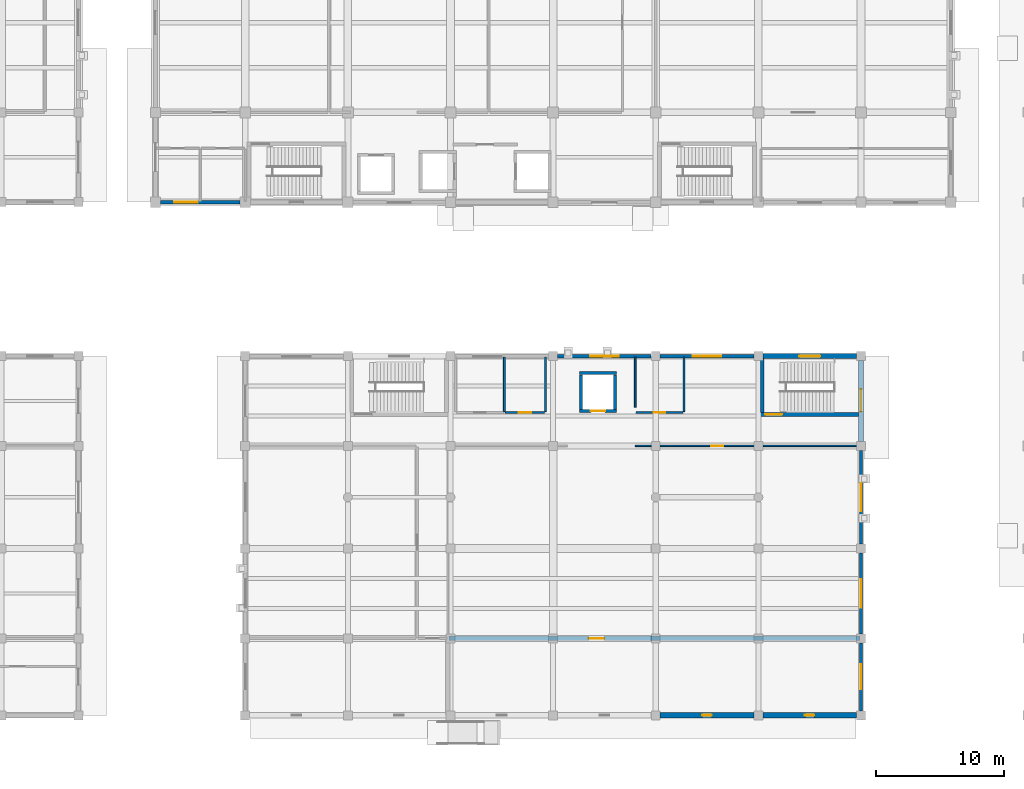
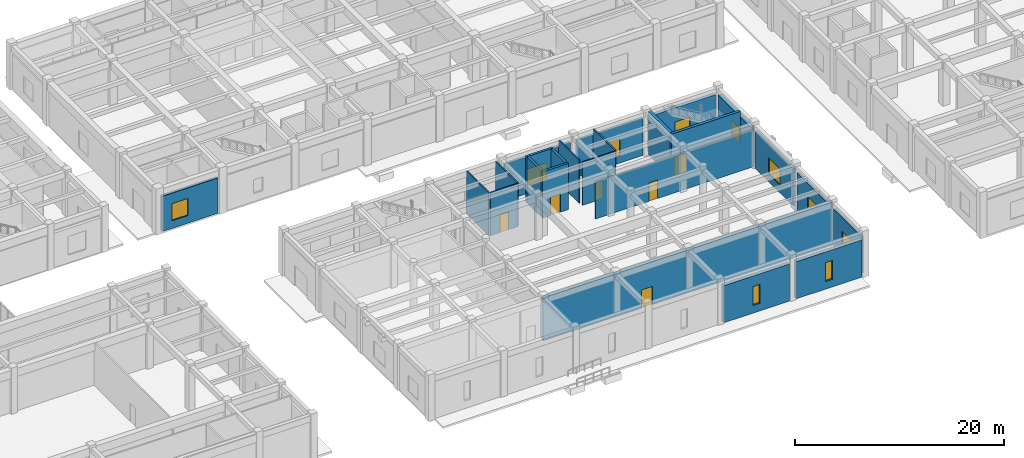
# One storey, part 22 of 40: 24 walls, 10 windows, 6 doors, 16 openings.
"""IFC4 building model written with IfcOpenShell, lengths in metres."""

import ifcopenshell
import ifcopenshell.guid

model = None  # the IFC model being written
_history = None  # IfcOwnerHistory: only IFC2X3 demands one
_inside = {}  # id of a spatial element -> (the spatial element, [elements in it])
_under = {}  # id of a project, library or spatial element -> (it, [spatial elements below it])
_declared = {}  # id of a project -> (the project, [libraries it declares])
_typed = {}  # id of a type object -> (the type object, [elements of that type])
_made_of = {}  # id of a material, layer set ... -> (it, [elements and type objects made of it])


def new_model(schema):
    """Start an empty IFC model of exactly this schema.

    Asked for "IFC4X3", IfcOpenShell would pick the latest addendum, in which some entities
    have other attributes; the version numbers below select the first issue.
    IFC2X3 requires an IfcOwnerHistory on every rooted entity: one is made here for all.
    """
    global model, _history
    if schema == "IFC4X3":
        model = ifcopenshell.file(schema_version=(4, 3, 0, 0))
    else:
        model = ifcopenshell.file(schema=schema)
    _inside.clear()
    _under.clear()
    _declared.clear()
    _typed.clear()
    _made_of.clear()
    _history = None
    if model.schema == "IFC2X3":
        org = make("IfcOrganization", Name="unknown")
        user = make(
            "IfcPersonAndOrganization",
            ThePerson=make("IfcPerson", FamilyName="unknown"),
            TheOrganization=org,
        )
        app = make(
            "IfcApplication",
            ApplicationDeveloper=org,
            Version="unknown",
            ApplicationFullName="unknown",
            ApplicationIdentifier="unknown",
        )
        _history = make(
            "IfcOwnerHistory",
            OwningUser=user,
            OwningApplication=app,
            ChangeAction="ADDED",
            CreationDate=0,
        )
    return model


def make(cls, **values):
    """One entity of the class cls with the attributes given. An attribute that is None is left unset."""
    return model.create_entity(
        cls, **{name: value for name, value in values.items() if value is not None}
    )


def rooted(cls, **values):
    """An entity with a GlobalId (a new one), such as an element, a storey or a relation."""
    return make(cls, GlobalId=ifcopenshell.guid.new(), OwnerHistory=_history, **values)


def si_unit(unit_type, name, prefix=None):
    """IfcSIUnit, for example si_unit("LENGTHUNIT", "METRE", prefix="MILLI")."""
    return make("IfcSIUnit", UnitType=unit_type, Prefix=prefix, Name=name)


def assignment(units):
    """IfcUnitAssignment: the units of a project."""
    return None if units is None else make("IfcUnitAssignment", Units=units)


def point(xyz):
    """IfcCartesianPoint."""
    return None if xyz is None else make("IfcCartesianPoint", Coordinates=xyz)


def direction(xyz):
    """IfcDirection."""
    return None if xyz is None else make("IfcDirection", DirectionRatios=xyz)


def frame(location, z_axis=None, x_axis=None):
    """IfcAxis2Placement3D, a coordinate frame: its origin and axes. An axis left out is left unset."""
    return make(
        "IfcAxis2Placement3D",
        Location=point(location),
        Axis=direction(z_axis),
        RefDirection=direction(x_axis),
    )


def frame_2d(location, x_axis=None):
    """IfcAxis2Placement2D, a coordinate frame in the plane: its origin and x axis."""
    return make(
        "IfcAxis2Placement2D", Location=point(location), RefDirection=direction(x_axis)
    )


def origin():
    """The frame at (0, 0, 0) with its axes left unset."""
    return frame((0.0, 0.0, 0.0))


def place(relative_to, where):
    """IfcLocalPlacement: puts the frame where relative to a parent placement (None: the world)."""
    return make(
        "IfcLocalPlacement", PlacementRelTo=relative_to, RelativePlacement=where
    )


def context(
    kind, dimensions, precision=None, world=None, true_north=None, identifier=None
):
    """IfcGeometricRepresentationContext, for example the 3D "Model" context."""
    return make(
        "IfcGeometricRepresentationContext",
        ContextIdentifier=identifier,
        ContextType=kind,
        CoordinateSpaceDimension=dimensions,
        Precision=precision,
        WorldCoordinateSystem=world,
        TrueNorth=true_north,
    )


def subcontext(parent, identifier, kind, view, scale=None):
    """IfcGeometricRepresentationSubContext, for example "Body" below "Model"."""
    return make(
        "IfcGeometricRepresentationSubContext",
        ContextIdentifier=identifier,
        ContextType=kind,
        ParentContext=parent,
        TargetScale=scale,
        TargetView=view,
    )


def project(units=None, contexts=None):
    """IfcProject with its units and contexts."""
    return rooted(
        "IfcProject",
        Name="project",
        RepresentationContexts=contexts,
        UnitsInContext=assignment(units),
    )


def spatial(cls, under=None, at=None, **own):
    """A site, building, storey or space (cls), placed at a placement, below another one or the project."""
    s = rooted(cls, ObjectPlacement=at, **own)
    if under is not None:
        _under.setdefault(under.id(), (under, []))[1].append(s)
    return s


def profile(cls, at=None, kind="AREA", **sizes):
    """A parametric profile (cls). Its sizes go by their IFC names, for example OverallWidth=200.0."""
    return make(cls, ProfileType=kind, Position=at, **sizes)


def rectangle(**sizes):
    """IfcRectangleProfileDef."""
    return profile("IfcRectangleProfileDef", **sizes)


def extrude(swept, where, along, depth):
    """IfcExtrudedAreaSolid: the profile swept, set in the frame where, extruded along a direction by depth."""
    return make(
        "IfcExtrudedAreaSolid",
        SweptArea=swept,
        Position=where,
        ExtrudedDirection=direction(along),
        Depth=depth,
    )


def shape(context_of_items, identifier, shape_type, items):
    """IfcShapeRepresentation: the items that make up one representation, for example the "Body"."""
    return make(
        "IfcShapeRepresentation",
        ContextOfItems=context_of_items,
        RepresentationIdentifier=identifier,
        RepresentationType=shape_type,
        Items=items,
    )


def material(Name=None, Category=None):
    """IfcMaterial."""
    return make("IfcMaterial", Name=Name, Category=Category)


def layer(
    of_material, thickness, ventilated=None, Name=None, Category=None, Priority=None
):
    """IfcMaterialLayer: one layer of a wall or slab, of a material (None: an air gap)."""
    return make(
        "IfcMaterialLayer",
        Material=of_material,
        LayerThickness=thickness,
        IsVentilated=ventilated,
        Name=Name,
        Category=Category,
        Priority=Priority,
    )


def layer_set(layers, Name=None):
    """IfcMaterialLayerSet."""
    return make("IfcMaterialLayerSet", MaterialLayers=layers, LayerSetName=Name)


def made_of(thing, what):
    """Note that an element or type object is made of a material, layer set ...; save() writes the relation."""
    if what is not None:
        _made_of.setdefault(what.id(), (what, []))[1].append(thing)
    return thing


def type_object(cls, material=None, **own):
    """A type object (cls), such as IfcWallType, which elements share."""
    return made_of(rooted(cls, **own), material)


def element(
    cls,
    number,
    at=None,
    inside=None,
    cuts=None,
    type_object=None,
    material=None,
    context=None,
    identifier="Body",
    shape_type=None,
    held_by="IfcProductDefinitionShape",
    body=None,
    shapes=None,
    **own,
):
    """One element of the class cls, such as IfcWall. Its Tag is "e" and its number.

    at: its placement. inside: the storey or other place that contains it. cuts: it is an
    opening in that element (IfcRelVoidsElement). A single representation is given by context,
    identifier, shape_type and body (its items); several are given by shapes. held_by: the class
    of the entity that holds the representations. save() writes the other relations.
    """
    e = rooted(cls, Tag="e%d" % number, ObjectPlacement=at, **own)
    if body is not None:
        shapes = [shape(context, identifier, shape_type, body)]
    if shapes is not None:
        e.Representation = make(held_by, Representations=shapes)
    if inside is not None:
        _inside.setdefault(inside.id(), (inside, []))[1].append(e)
    if cuts is not None:
        rooted(
            "IfcRelVoidsElement", RelatingBuildingElement=cuts, RelatedOpeningElement=e
        )
    if type_object is not None:
        _typed.setdefault(type_object.id(), (type_object, []))[1].append(e)
    return made_of(e, material)


def fill(opening, filler):
    """IfcRelFillsElement: the door or window that sits in an opening."""
    return rooted(
        "IfcRelFillsElement",
        RelatingOpeningElement=opening,
        RelatedBuildingElement=filler,
    )


def aggregate(whole, parts):
    """IfcRelAggregates: a whole, such as a stair, and the parts it consists of."""
    return rooted("IfcRelAggregates", RelatingObject=whole, RelatedObjects=parts)


def save(model, path):
    """Write the relations noted so far, then the file.

    IfcRelAggregates (storeys below a building ...), IfcRelContainedInSpatialStructure (elements
    in a storey), IfcRelDefinesByType, IfcRelAssociatesMaterial and IfcRelDeclares: one each for
    every whole, place, type object, material and project.
    """
    for whole, parts in _under.values():
        aggregate(whole, parts)
    for where, things in _inside.values():
        rooted(
            "IfcRelContainedInSpatialStructure",
            RelatedElements=things,
            RelatingStructure=where,
        )
    for kind, things in _typed.values():
        rooted("IfcRelDefinesByType", RelatedObjects=things, RelatingType=kind)
    for what, things in _made_of.values():
        rooted("IfcRelAssociatesMaterial", RelatedObjects=things, RelatingMaterial=what)
    for by, libraries in _declared.values():
        rooted("IfcRelDeclares", RelatingContext=by, RelatedDefinitions=libraries)
    model.write(path)


model = new_model("IFC4")

# Units and contexts
model_context = context("Model", 3, precision=1e-05, world=origin(), true_north=direction((0.0, 1.0)))
body_context = subcontext(model_context, "Body", "Model", "MODEL_VIEW")
ifc_project = project(units=[si_unit("LENGTHUNIT", "METRE"), si_unit("AREAUNIT", "SQUARE_METRE"), si_unit("VOLUMEUNIT", "CUBIC_METRE"), si_unit("PLANEANGLEUNIT", "RADIAN"), si_unit("MASSUNIT", "GRAM", prefix="KILO")], contexts=[model_context])

# Site, building, storey
site_placement = place(None, origin())
site = spatial("IfcSite", under=ifc_project, at=site_placement, CompositionType="ELEMENT")
building_placement = place(site_placement, origin())
building = spatial("IfcBuilding", under=site, at=building_placement, Name="Naurynzar Civic Courthouse", CompositionType="ELEMENT")
storey_placement = place(building_placement, origin())
storey = spatial("IfcBuildingStorey", under=building, at=storey_placement, Name="L01", CompositionType="ELEMENT", Elevation=0.0)

# Wall, opening, door
ifc_material_1 = material(Name="Concrete C40/50", Category="concrete")
ifc_layer_1 = layer(ifc_material_1, 0.300048828125)
ifc_layer_set_1 = layer_set([ifc_layer_1], Name="WL-CORE-300")
wall_type_1 = type_object("IfcWallType", Name="WL-CORE-300", PredefinedType="SHEAR", material=ifc_layer_set_1)
wall_1_placement = place(storey_placement, frame((116.804931640625, 27.449951171875, 0.0), z_axis=(0.0, 0.0, 1.0), x_axis=(-1.0, 0.0, 0.0)))
wall_1 = element("IfcWall", 1, at=wall_1_placement, inside=storey, type_object=wall_type_1, Name="Stair ST-V3B enclosure wall south L01", PredefinedType="SHEAR", context=body_context, shape_type="SweptSolid", body=[
    extrude(rectangle(XDim=7.655029296875, YDim=0.300048828125, at=frame_2d((3.82763671875, 0.0))), origin(), (0.0, 0.0, 1.0), 5.06005859375),
])
opening_1_placement = place(wall_1_placement, frame((5.929931640625, 0.0, 0.0)))
opening_1 = element("IfcOpeningElement", 2, at=opening_1_placement, cuts=wall_1, Name="Opening SD-053", PredefinedType="OPENING", context=body_context, shape_type="SweptSolid", body=[
    extrude(rectangle(XDim=1.35009765625, YDim=2.199951171875, at=frame_2d((0.675048828125, 1.10009765625))), frame((0.0, 0.159912109375, 0.0), z_axis=(0.0, -1.0, 0.0), x_axis=(1.0, 0.0, 0.0)), (0.0, 0.0, 1.0), 0.320068359375),
])
ifc_material_2 = material(Name="Powder-Coated Galvanised Steel", Category="steel")
door_type_1 = type_object("IfcDoorType", Name="DR-STAIR-1350x2200", OperationType="NOTDEFINED", PredefinedType="DOOR", material=ifc_material_2)
door_1_placement = place(opening_1_placement, origin())
door_1 = element("IfcDoor", 3, at=door_1_placement, inside=storey, type_object=door_type_1, Name="Stair ST-V3B fire door L01", OperationType="SINGLE_SWING_LEFT", OverallHeight=2.199951171875, OverallWidth=1.35009765625, PredefinedType="DOOR", context=body_context, shape_type="SweptSolid", body=[
    extrude(rectangle(XDim=1.35009765625, YDim=2.199951171875, at=frame_2d((0.675048828125, 1.10009765625))), frame((0.0, 0.02490234375, 0.0), z_axis=(0.0, -1.0, 0.0), x_axis=(1.0, 0.0, 0.0)), (0.0, 0.0, 1.0), 0.050048828125),
])
fill(opening_1, door_1)

# Wall
wall_2_placement = place(storey_placement, frame((109.300048828125, 31.804931640625, 0.0), z_axis=(0.0, 0.0, 1.0), x_axis=(0.0, -1.0, 0.0)))
element("IfcWall", 4, at=wall_2_placement, inside=storey, type_object=wall_type_1, Name="Stair ST-V3B enclosure wall west L01", PredefinedType="SHEAR", context=body_context, shape_type="SweptSolid", body=[
    extrude(rectangle(XDim=4.199951171875, YDim=0.300048828125, at=frame_2d((2.10009765625, 0.0))), origin(), (0.0, 0.0, 1.0), 5.06005859375),
])

# Wall, opening, door
ifc_material_3 = material(Name="Concrete C40/50", Category="concrete")
ifc_layer_2 = layer(ifc_material_3, 0.35009765625)
ifc_layer_set_2 = layer_set([ifc_layer_2], Name="WL-CORE-350")
wall_type_2 = type_object("IfcWallType", Name="WL-CORE-350", PredefinedType="SHEAR", material=ifc_layer_set_2)
wall_3_placement = place(storey_placement, frame((84.8798828125, 10.0, 0.0), z_axis=(0.0, 0.0, 1.0), x_axis=(1.0, 0.0, 0.0)))
wall_3 = element("IfcWall", 5, at=wall_3_placement, inside=storey, type_object=wall_type_2, Name="V3 interior partition L01.76", PredefinedType="SHEAR", context=body_context, shape_type="SweptSolid", body=[
    extrude(rectangle(XDim=32.0400390625, YDim=0.35009765625, at=frame_2d((16.02001953125, 0.0))), origin(), (0.0, 0.0, 1.0), 5.0400390625),
])
opening_2_placement = place(wall_3_placement, frame((10.89892578125, 0.0, 0.0)))
opening_2 = element("IfcOpeningElement", 6, at=opening_2_placement, cuts=wall_3, Name="Opening D-230", PredefinedType="OPENING", context=body_context, shape_type="SweptSolid", body=[
    extrude(rectangle(XDim=1.199951171875, YDim=2.14990234375, at=frame_2d((0.60009765625, 1.074951171875))), frame((0.0, 0.18505859375, 0.0), z_axis=(0.0, -1.0, 0.0), x_axis=(1.0, 0.0, 0.0)), (0.0, 0.0, 1.0), 0.3701171875),
])
ifc_material_4 = material(Name="Powder-Coated Galvanised Steel", Category="steel")
door_type_2 = type_object("IfcDoorType", Name="DR-ARCH-1200x2150", OperationType="NOTDEFINED", PredefinedType="DOOR", material=ifc_material_4)
door_2_placement = place(opening_2_placement, origin())
door_2 = element("IfcDoor", 7, at=door_2_placement, inside=storey, type_object=door_type_2, Name="Interior door D-230 (Law Library Book Stacks South L01)", OperationType="SINGLE_SWING_RIGHT", OverallHeight=2.14990234375, OverallWidth=1.199951171875, PredefinedType="DOOR", context=body_context, shape_type="SweptSolid", body=[
    extrude(rectangle(XDim=1.199951171875, YDim=2.14990234375, at=frame_2d((0.60009765625, 1.074951171875))), frame((0.0, 0.02490234375, 0.0), z_axis=(0.0, -1.0, 0.0), x_axis=(1.0, 0.0, 0.0)), (0.0, 0.0, 1.0), 0.050048828125),
])
fill(opening_2, door_2)

# Wall, opening, window
ifc_material_5 = material(Name="Precast concrete C40/50", Category="concrete")
ifc_layer_3 = layer(ifc_material_5, 0.260009765625)
ifc_layer_set_3 = layer_set([ifc_layer_3], Name="WL-EXT-260")
wall_type_3 = type_object("IfcWallType", Name="WL-EXT-260", PredefinedType="SOLIDWALL", material=ifc_layer_set_3)
wall_4_placement = place(storey_placement, frame((93.35009765625, 32.0, 0.0), z_axis=(0.0, 0.0, 1.0), x_axis=(1.0, 0.0, 0.0)))
wall_4 = element("IfcWall", 8, at=wall_4_placement, inside=storey, type_object=wall_type_3, Name="V3 exterior wall north L01.4.1", PredefinedType="SOLIDWALL", context=body_context, shape_type="SweptSolid", body=[
    extrude(rectangle(XDim=7.2998046875, YDim=0.260009765625, at=frame_2d((3.64990234375, 0.0))), origin(), (0.0, 0.0, 1.0), 4.340087890625),
])
opening_3_placement = place(wall_4_placement, frame((2.550048828125, 0.0, 0.89990234375)))
opening_3 = element("IfcOpeningElement", 9, at=opening_3_placement, cuts=wall_4, Name="Opening WN-11", PredefinedType="OPENING", context=body_context, shape_type="SweptSolid", body=[
    extrude(rectangle(XDim=2.199951171875, YDim=1.89990234375, at=frame_2d((1.10009765625, 0.949951171875))), frame((0.0, 0.139892578125, 0.0), z_axis=(0.0, -1.0, 0.0), x_axis=(1.0, 0.0, 0.0)), (0.0, 0.0, 1.0), 0.280029296875),
])
ifc_material_6 = material(Name="Tempered Laminated Low-E Glass", Category="glass")
window_type_1 = type_object("IfcWindowType", Name="WIN-LIB-READ-2200x1900", PartitioningType="DOUBLE_PANEL_VERTICAL", PredefinedType="WINDOW", material=ifc_material_6)
window_1_placement = place(opening_3_placement, origin())
window_1 = element("IfcWindow", 10, at=window_1_placement, inside=storey, type_object=window_type_1, Name="V3 window 145 L01", OverallHeight=1.89990234375, OverallWidth=2.199951171875, PartitioningType="SINGLE_PANEL", PredefinedType="WINDOW", context=body_context, shape_type="SweptSolid", body=[
    extrude(rectangle(XDim=2.199951171875, YDim=1.89990234375, at=frame_2d((1.10009765625, 0.949951171875))), frame((0.0, 0.030029296875, 0.0), z_axis=(0.0, -1.0, 0.0), x_axis=(1.0, 0.0, 0.0)), (0.0, 0.0, 1.0), 0.06005859375),
])
fill(opening_3, window_1)

wall_5_placement = place(storey_placement, frame((101.35009765625, 32.0, 0.0), z_axis=(0.0, 0.0, 1.0), x_axis=(1.0, 0.0, 0.0)))
wall_5 = element("IfcWall", 11, at=wall_5_placement, inside=storey, type_object=wall_type_3, Name="V3 exterior wall north L01.5.1", PredefinedType="SOLIDWALL", context=body_context, shape_type="SweptSolid", body=[
    extrude(rectangle(XDim=7.2998046875, YDim=0.260009765625, at=frame_2d((3.64990234375, 0.0))), origin(), (0.0, 0.0, 1.0), 4.340087890625),
])
opening_4_placement = place(wall_5_placement, frame((2.550048828125, 0.0, 0.89990234375)))
opening_4 = element("IfcOpeningElement", 12, at=opening_4_placement, cuts=wall_5, Name="Opening WN-11", PredefinedType="OPENING", context=body_context, shape_type="SweptSolid", body=[
    extrude(rectangle(XDim=2.199951171875, YDim=1.89990234375, at=frame_2d((1.10009765625, 0.949951171875))), frame((0.0, 0.139892578125, 0.0), z_axis=(0.0, -1.0, 0.0), x_axis=(1.0, 0.0, 0.0)), (0.0, 0.0, 1.0), 0.280029296875),
])
window_2_placement = place(opening_4_placement, origin())
window_2 = element("IfcWindow", 13, at=window_2_placement, inside=storey, type_object=window_type_1, Name="V3 window 146 L01", OverallHeight=1.89990234375, OverallWidth=2.199951171875, PartitioningType="SINGLE_PANEL", PredefinedType="WINDOW", context=body_context, shape_type="SweptSolid", body=[
    extrude(rectangle(XDim=2.199951171875, YDim=1.89990234375, at=frame_2d((1.10009765625, 0.949951171875))), frame((0.0, 0.030029296875, 0.0), z_axis=(0.0, -1.0, 0.0), x_axis=(1.0, 0.0, 0.0)), (0.0, 0.0, 1.0), 0.06005859375),
])
fill(opening_4, window_2)

wall_6_placement = place(storey_placement, frame((117.0, 24.64990234375, 0.0), z_axis=(0.0, 0.0, 1.0), x_axis=(0.0, -1.0, 0.0)))
wall_6 = element("IfcWall", 14, at=wall_6_placement, inside=storey, type_object=wall_type_3, Name="V3 exterior wall east L01.2.1", PredefinedType="SOLIDWALL", context=body_context, shape_type="SweptSolid", body=[
    extrude(rectangle(XDim=7.2998046875, YDim=0.260009765625, at=frame_2d((3.64990234375, 0.0))), origin(), (0.0, 0.0, 1.0), 4.340087890625),
])
opening_5_placement = place(wall_6_placement, frame((2.550048828125, 0.0, 0.89990234375)))
opening_5 = element("IfcOpeningElement", 15, at=opening_5_placement, cuts=wall_6, Name="Opening WN-11", PredefinedType="OPENING", context=body_context, shape_type="SweptSolid", body=[
    extrude(rectangle(XDim=2.199951171875, YDim=1.89990234375, at=frame_2d((1.10009765625, 0.949951171875))), frame((0.0, 0.139892578125, 0.0), z_axis=(0.0, -1.0, 0.0), x_axis=(1.0, 0.0, 0.0)), (0.0, 0.0, 1.0), 0.280029296875),
])
window_3_placement = place(opening_5_placement, origin())
window_3 = element("IfcWindow", 16, at=window_3_placement, inside=storey, type_object=window_type_1, Name="V3 window 147 L01", OverallHeight=1.89990234375, OverallWidth=2.199951171875, PartitioningType="SINGLE_PANEL", PredefinedType="WINDOW", context=body_context, shape_type="SweptSolid", body=[
    extrude(rectangle(XDim=2.199951171875, YDim=1.89990234375, at=frame_2d((1.10009765625, 0.949951171875))), frame((0.0, 0.030029296875, 0.0), z_axis=(0.0, -1.0, 0.0), x_axis=(1.0, 0.0, 0.0)), (0.0, 0.0, 1.0), 0.06005859375),
])
fill(opening_5, window_3)

wall_7_placement = place(storey_placement, frame((117.0, 16.64990234375, 0.0), z_axis=(0.0, 0.0, 1.0), x_axis=(0.0, -1.0, 0.0)))
wall_7 = element("IfcWall", 17, at=wall_7_placement, inside=storey, type_object=wall_type_3, Name="V3 exterior wall east L01.3.1", PredefinedType="SOLIDWALL", context=body_context, shape_type="SweptSolid", body=[
    extrude(rectangle(XDim=6.2998046875, YDim=0.260009765625, at=frame_2d((3.14990234375, 0.0))), origin(), (0.0, 0.0, 1.0), 4.340087890625),
])
opening_6_placement = place(wall_7_placement, frame((2.050048828125, 0.0, 0.89990234375)))
opening_6 = element("IfcOpeningElement", 18, at=opening_6_placement, cuts=wall_7, Name="Opening WN-11", PredefinedType="OPENING", context=body_context, shape_type="SweptSolid", body=[
    extrude(rectangle(XDim=2.199951171875, YDim=1.89990234375, at=frame_2d((1.10009765625, 0.949951171875))), frame((0.0, 0.139892578125, 0.0), z_axis=(0.0, -1.0, 0.0), x_axis=(1.0, 0.0, 0.0)), (0.0, 0.0, 1.0), 0.280029296875),
])
window_4_placement = place(opening_6_placement, origin())
window_4 = element("IfcWindow", 19, at=window_4_placement, inside=storey, type_object=window_type_1, Name="V3 window 148 L01", OverallHeight=1.89990234375, OverallWidth=2.199951171875, PartitioningType="SINGLE_PANEL", PredefinedType="WINDOW", context=body_context, shape_type="SweptSolid", body=[
    extrude(rectangle(XDim=2.199951171875, YDim=1.89990234375, at=frame_2d((1.10009765625, 0.949951171875))), frame((0.0, 0.030029296875, 0.0), z_axis=(0.0, -1.0, 0.0), x_axis=(1.0, 0.0, 0.0)), (0.0, 0.0, 1.0), 0.06005859375),
])
fill(opening_6, window_4)

wall_8_placement = place(storey_placement, frame((117.0, 9.64990234375, 0.0), z_axis=(0.0, 0.0, 1.0), x_axis=(0.0, -1.0, 0.0)))
wall_8 = element("IfcWall", 20, at=wall_8_placement, inside=storey, type_object=wall_type_3, Name="V3 exterior wall east L01.4.1", PredefinedType="SOLIDWALL", context=body_context, shape_type="SweptSolid", body=[
    extrude(rectangle(XDim=5.2998046875, YDim=0.260009765625, at=frame_2d((2.64990234375, 0.0))), origin(), (0.0, 0.0, 1.0), 4.340087890625),
])
opening_7_placement = place(wall_8_placement, frame((1.675048828125, 0.0, 0.89990234375)))
opening_7 = element("IfcOpeningElement", 21, at=opening_7_placement, cuts=wall_8, Name="Opening WN-12", PredefinedType="OPENING", context=body_context, shape_type="SweptSolid", body=[
    extrude(rectangle(XDim=1.949951171875, YDim=1.85009765625, at=frame_2d((0.97509765625, 0.925048828125))), frame((0.0, 0.139892578125, 0.0), z_axis=(0.0, -1.0, 0.0), x_axis=(1.0, 0.0, 0.0)), (0.0, 0.0, 1.0), 0.280029296875),
])
ifc_material_7 = material(Name="Tempered Laminated Low-E Glass", Category="glass")
window_type_2 = type_object("IfcWindowType", Name="WIN-LIB-READ-1950x1850", PartitioningType="DOUBLE_PANEL_VERTICAL", PredefinedType="WINDOW", material=ifc_material_7)
window_5_placement = place(opening_7_placement, origin())
window_5 = element("IfcWindow", 22, at=window_5_placement, inside=storey, type_object=window_type_2, Name="V3 window 149 L01", OverallHeight=1.85009765625, OverallWidth=1.949951171875, PartitioningType="SINGLE_PANEL", PredefinedType="WINDOW", context=body_context, shape_type="SweptSolid", body=[
    extrude(rectangle(XDim=1.949951171875, YDim=1.85009765625, at=frame_2d((0.97509765625, 0.925048828125))), frame((0.0, 0.030029296875, 0.0), z_axis=(0.0, -1.0, 0.0), x_axis=(1.0, 0.0, 0.0)), (0.0, 0.0, 1.0), 0.06005859375),
])
fill(opening_7, window_5)

ifc_material_8 = material(Name="Precast concrete C40/50", Category="concrete")
ifc_layer_4 = layer(ifc_material_8, 0.300048828125)
ifc_layer_set_4 = layer_set([ifc_layer_4], Name="WL-EXT-300")
wall_type_4 = type_object("IfcWallType", Name="WL-EXT-300", PredefinedType="SOLIDWALL", material=ifc_layer_set_4)
wall_9_placement = place(storey_placement, frame((68.60009765625, 44.0, 0.0), z_axis=(0.0, 0.0, 1.0), x_axis=(-1.0, 0.0, 0.0)))
wall_9 = element("IfcWall", 23, at=wall_9_placement, inside=storey, type_object=wall_type_4, Name="V2 exterior wall south L01.8.1", PredefinedType="SOLIDWALL", context=body_context, shape_type="SweptSolid", body=[
    extrude(rectangle(XDim=6.2001953125, YDim=0.300048828125, at=frame_2d((3.10009765625, 0.0))), origin(), (0.0, 0.0, 1.0), 4.1298828125),
])
opening_8_placement = place(wall_9_placement, frame((3.320068359375, 0.0, 0.89990234375)))
opening_8 = element("IfcOpeningElement", 24, at=opening_8_placement, cuts=wall_9, Name="Opening WN-03", PredefinedType="OPENING", context=body_context, shape_type="SweptSolid", body=[
    extrude(rectangle(XDim=1.800048828125, YDim=2.0, at=frame_2d((0.89990234375, 1.0))), frame((0.0, 0.159912109375, 0.0), z_axis=(0.0, -1.0, 0.0), x_axis=(1.0, 0.0, 0.0)), (0.0, 0.0, 1.0), 0.320068359375),
])
ifc_material_9 = material(Name="Tempered Laminated Low-E Glass", Category="glass")
window_type_3 = type_object("IfcWindowType", Name="WIN-COURT-1800x2000", PartitioningType="DOUBLE_PANEL_VERTICAL", PredefinedType="WINDOW", material=ifc_material_9)
window_6_placement = place(opening_8_placement, origin())
window_6 = element("IfcWindow", 25, at=window_6_placement, inside=storey, type_object=window_type_3, Name="V2 window 50 L01", OverallHeight=2.0, OverallWidth=1.800048828125, PartitioningType="SINGLE_PANEL", PredefinedType="WINDOW", context=body_context, shape_type="SweptSolid", body=[
    extrude(rectangle(XDim=1.800048828125, YDim=2.0, at=frame_2d((0.89990234375, 1.0))), frame((0.0, 0.030029296875, 0.0), z_axis=(0.0, -1.0, 0.0), x_axis=(1.0, 0.0, 0.0)), (0.0, 0.0, 1.0), 0.06005859375),
])
fill(opening_8, window_6)

# Wall, opening, door
ifc_material_10 = material(Name="Metal-Stud Gypsum Partition")
ifc_layer_5 = layer(ifc_material_10, 0.125)
ifc_layer_set_5 = layer_set([ifc_layer_5], Name="WL-PART-STD-125")
wall_type_5 = type_object("IfcWallType", Name="WL-PART-STD-125", PredefinedType="PARTITIONING", material=ifc_layer_set_5)
wall_10_placement = place(storey_placement, frame((99.39990234375, 25.0, 0.0), z_axis=(0.0, 0.0, 1.0), x_axis=(1.0, 0.0, 0.0)))
wall_10 = element("IfcWall", 26, at=wall_10_placement, inside=storey, type_object=wall_type_5, Name="V3 interior partition L01.86", PredefinedType="PARTITIONING", context=body_context, shape_type="SweptSolid", body=[
    extrude(rectangle(XDim=17.52001953125, YDim=0.125, at=frame_2d((8.760009765625, 0.0))), origin(), (0.0, 0.0, 1.0), 4.360107421875),
])
opening_9_placement = place(wall_10_placement, frame((5.907958984375, 0.0, 0.0)))
opening_9 = element("IfcOpeningElement", 27, at=opening_9_placement, cuts=wall_10, Name="Opening D-228", PredefinedType="OPENING", context=body_context, shape_type="SweptSolid", body=[
    extrude(rectangle(XDim=0.93994140625, YDim=2.14990234375, at=frame_2d((0.469970703125, 1.074951171875))), frame((0.0, 0.072509765625, 0.0), z_axis=(0.0, -1.0, 0.0), x_axis=(1.0, 0.0, 0.0)), (0.0, 0.0, 1.0), 0.14501953125),
])
ifc_material_11 = material(Name="Acoustic Oak Timber Grade A", Category="wood")
door_type_3 = type_object("IfcDoorType", Name="DR-SUITE-940x2150", OperationType="NOTDEFINED", PredefinedType="DOOR", material=ifc_material_11)
door_3_placement = place(opening_9_placement, origin())
door_3 = element("IfcDoor", 28, at=door_3_placement, inside=storey, type_object=door_type_3, Name="Interior door D-228 (Legal Research Seminar Suite)", OperationType="SINGLE_SWING_RIGHT", OverallHeight=2.14990234375, OverallWidth=0.93994140625, PredefinedType="DOOR", context=body_context, shape_type="SweptSolid", body=[
    extrude(rectangle(XDim=0.93994140625, YDim=2.14990234375, at=frame_2d((0.469970703125, 1.074951171875))), frame((0.0, 0.02490234375, 0.0), z_axis=(0.0, -1.0, 0.0), x_axis=(1.0, 0.0, 0.0)), (0.0, 0.0, 1.0), 0.050048828125),
])
fill(opening_9, door_3)

ifc_material_12 = material(Name="Moisture-Resistant Plumbing Partition")
ifc_layer_6 = layer(ifc_material_12, 0.139892578125)
ifc_layer_set_6 = layer_set([ifc_layer_6], Name="WL-PART-WC-140")
wall_type_6 = type_object("IfcWallType", Name="WL-PART-WC-140", PredefinedType="PLUMBINGWALL", material=ifc_layer_set_6)
wall_11_placement = place(storey_placement, frame((89.280029296875, 27.60009765625, 0.0), z_axis=(0.0, 0.0, 1.0), x_axis=(1.0, 0.0, 0.0)))
wall_11 = element("IfcWall", 29, at=wall_11_placement, inside=storey, type_object=wall_type_6, Name="V3 interior partition L01.91", PredefinedType="PLUMBINGWALL", context=body_context, shape_type="SweptSolid", body=[
    extrude(rectangle(XDim=3.0400390625, YDim=0.139892578125, at=frame_2d((1.52001953125, 0.0))), origin(), (0.0, 0.0, 1.0), 5.0400390625),
])
opening_10_placement = place(wall_11_placement, frame((1.0400390625, 0.0, 0.0)))
opening_10 = element("IfcOpeningElement", 30, at=opening_10_placement, cuts=wall_11, Name="Opening D-225", PredefinedType="OPENING", context=body_context, shape_type="SweptSolid", body=[
    extrude(rectangle(XDim=0.9599609375, YDim=2.10009765625, at=frame_2d((0.47998046875, 1.050048828125))), frame((0.0, 0.079833984375, 0.0), z_axis=(0.0, -1.0, 0.0), x_axis=(1.0, 0.0, 0.0)), (0.0, 0.0, 1.0), 0.159912109375),
])
ifc_material_13 = material(Name="Acoustic Oak Timber Grade A", Category="wood")
door_type_4 = type_object("IfcDoorType", Name="DR-WC-ACC-960x2100", OperationType="NOTDEFINED", PredefinedType="DOOR", material=ifc_material_13)
door_4_placement = place(opening_10_placement, origin())
door_4 = element("IfcDoor", 31, at=door_4_placement, inside=storey, type_object=door_type_4, Name="Interior door D-225 (Accessible WC V3)", OperationType="SINGLE_SWING_LEFT", OverallHeight=2.10009765625, OverallWidth=0.9599609375, PredefinedType="DOOR", context=body_context, shape_type="SweptSolid", body=[
    extrude(rectangle(XDim=0.9599609375, YDim=2.10009765625, at=frame_2d((0.47998046875, 1.050048828125))), frame((0.0, 0.02490234375, 0.0), z_axis=(0.0, -1.0, 0.0), x_axis=(1.0, 0.0, 0.0)), (0.0, 0.0, 1.0), 0.050048828125),
])
fill(opening_10, door_4)

wall_12_placement = place(storey_placement, frame((99.47998046875, 27.60009765625, 0.0), z_axis=(0.0, 0.0, 1.0), x_axis=(1.0, 0.0, 0.0)))
wall_12 = element("IfcWall", 32, at=wall_12_placement, inside=storey, type_object=wall_type_6, Name="V3 interior partition L01.92", PredefinedType="PLUMBINGWALL", context=body_context, shape_type="SweptSolid", body=[
    extrude(rectangle(XDim=3.64013671875, YDim=0.139892578125, at=frame_2d((1.820068359375, 0.0))), origin(), (0.0, 0.0, 1.0), 5.0400390625),
])
opening_11_placement = place(wall_12_placement, frame((1.360107421875, 0.0, 0.0)))
opening_11 = element("IfcOpeningElement", 33, at=opening_11_placement, cuts=wall_12, Name="Opening D-226", PredefinedType="OPENING", context=body_context, shape_type="SweptSolid", body=[
    extrude(rectangle(XDim=0.919921875, YDim=2.10009765625, at=frame_2d((0.4599609375, 1.050048828125))), frame((0.0, 0.079833984375, 0.0), z_axis=(0.0, -1.0, 0.0), x_axis=(1.0, 0.0, 0.0)), (0.0, 0.0, 1.0), 0.159912109375),
])
ifc_material_14 = material(Name="Acoustic Oak Timber Grade A", Category="wood")
door_type_5 = type_object("IfcDoorType", Name="DR-WC-STD-920x2100", OperationType="NOTDEFINED", PredefinedType="DOOR", material=ifc_material_14)
door_5_placement = place(opening_11_placement, origin())
door_5 = element("IfcDoor", 34, at=door_5_placement, inside=storey, type_object=door_type_5, Name="Interior door D-226 (Staff WC V3)", OperationType="SINGLE_SWING_RIGHT", OverallHeight=2.10009765625, OverallWidth=0.919921875, PredefinedType="DOOR", context=body_context, shape_type="SweptSolid", body=[
    extrude(rectangle(XDim=0.919921875, YDim=2.10009765625, at=frame_2d((0.4599609375, 1.050048828125))), frame((0.0, 0.02490234375, 0.0), z_axis=(0.0, -1.0, 0.0), x_axis=(1.0, 0.0, 0.0)), (0.0, 0.0, 1.0), 0.050048828125),
])
fill(opening_11, door_5)

# Walls
for number, where, z_axis, x_axis, name in (
    (35, (89.199951171875, 27.679931640625, 0.0), (0.0, 0.0, 1.0), (0.0, 1.0, 0.0), "V3 interior partition L01.162"),
    (36, (92.39990234375, 27.679931640625, 0.0), (0.0, 0.0, 1.0), (0.0, 1.0, 0.0), "V3 interior partition L01.163"),
):
    element("IfcWall", number, at=place(storey_placement, frame(where, z_axis=z_axis, x_axis=x_axis)), inside=storey, type_object=wall_type_6, Name=name, PredefinedType="PLUMBINGWALL", context=body_context, shape_type="SweptSolid", body=[
        extrude(rectangle(XDim=4.239990234375, YDim=0.139892578125, at=frame_2d((2.1201171875, 0.0))), origin(), (0.0, 0.0, 1.0), 5.0400390625),
    ])
wall_13_placement = place(storey_placement, frame((99.39990234375, 28.0, 0.0), z_axis=(0.0, 0.0, 1.0), x_axis=(0.0, 1.0, 0.0)))
element("IfcWall", 37, at=wall_13_placement, inside=storey, type_object=wall_type_6, Name="V3 interior partition L01.167", PredefinedType="PLUMBINGWALL", context=body_context, shape_type="SweptSolid", body=[
    extrude(rectangle(XDim=3.919921875, YDim=0.139892578125, at=frame_2d((1.9599609375, 0.0))), origin(), (0.0, 0.0, 1.0), 5.0400390625),
])
wall_14_placement = place(storey_placement, frame((103.199951171875, 27.679931640625, 0.0), z_axis=(0.0, 0.0, 1.0), x_axis=(0.0, 1.0, 0.0)))
element("IfcWall", 38, at=wall_14_placement, inside=storey, type_object=wall_type_6, Name="V3 interior partition L01.169", PredefinedType="PLUMBINGWALL", context=body_context, shape_type="SweptSolid", body=[
    extrude(rectangle(XDim=4.239990234375, YDim=0.139892578125, at=frame_2d((2.1201171875, 0.0))), origin(), (0.0, 0.0, 1.0), 5.0400390625),
])

# Wall, opening, window
ifc_material_15 = material(Name="Concrete C40/50", Category="concrete")
ifc_layer_7 = layer(ifc_material_15, 0.3798828125)
ifc_layer_set_7 = layer_set([ifc_layer_7], Name="WL-RET-380")
wall_type_7 = type_object("IfcWallType", Name="WL-RET-380", PredefinedType="STANDARD", material=ifc_layer_set_7)
wall_15_placement = place(storey_placement, frame((109.35009765625, 32.0, 0.0), z_axis=(0.0, 0.0, 1.0), x_axis=(1.0, 0.0, 0.0)))
wall_15 = element("IfcWall", 39, at=wall_15_placement, inside=storey, type_object=wall_type_7, Name="V3 exterior wall north L01.6.1", PredefinedType="STANDARD", context=body_context, shape_type="SweptSolid", body=[
    extrude(rectangle(XDim=7.2998046875, YDim=0.3798828125, at=frame_2d((3.64990234375, 0.0))), origin(), (0.0, 0.0, 1.0), 4.340087890625),
])
opening_12_placement = place(wall_15_placement, frame((2.824951171875, 0.0, 0.949951171875)))
opening_12 = element("IfcOpeningElement", 40, at=opening_12_placement, cuts=wall_15, Name="Opening WM-11", PredefinedType="OPENING", context=body_context, shape_type="SweptSolid", body=[
    extrude(rectangle(XDim=1.64990234375, YDim=1.75, at=frame_2d((0.824951171875, 0.875))), frame((0.0, 0.199951171875, 0.0), z_axis=(0.0, -1.0, 0.0), x_axis=(1.0, 0.0, 0.0)), (0.0, 0.0, 1.0), 0.39990234375),
])
ifc_material_16 = material(Name="Tempered Laminated Low-E Glass", Category="glass")
window_type_4 = type_object("IfcWindowType", Name="WIN-MOD-1650x1750", PartitioningType="DOUBLE_PANEL_VERTICAL", PredefinedType="WINDOW", material=ifc_material_16)
window_7_placement = place(opening_12_placement, origin())
window_7 = element("IfcWindow", 41, at=window_7_placement, inside=storey, type_object=window_type_4, Name="Modular glazed window 11", OverallHeight=1.75, OverallWidth=1.64990234375, PartitioningType="SINGLE_PANEL", PredefinedType="WINDOW", context=body_context, shape_type="SweptSolid", body=[
    extrude(rectangle(XDim=1.64990234375, YDim=1.75, at=frame_2d((0.824951171875, 0.875))), frame((0.0, 0.030029296875, 0.0), z_axis=(0.0, -1.0, 0.0), x_axis=(1.0, 0.0, 0.0)), (0.0, 0.0, 1.0), 0.06005859375),
])
fill(opening_12, window_7)

wall_16_placement = place(storey_placement, frame((117.0, 31.64990234375, 0.0), z_axis=(0.0, 0.0, 1.0), x_axis=(0.0, -1.0, 0.0)))
wall_16 = element("IfcWall", 42, at=wall_16_placement, inside=storey, type_object=wall_type_7, Name="V3 exterior wall east L01.1.1", PredefinedType="STANDARD", context=body_context, shape_type="SweptSolid", body=[
    extrude(rectangle(XDim=6.2998046875, YDim=0.3798828125, at=frame_2d((3.14990234375, 0.0))), origin(), (0.0, 0.0, 1.0), 4.340087890625),
])
opening_13_placement = place(wall_16_placement, frame((2.22998046875, 0.0, 0.949951171875)))
opening_13 = element("IfcOpeningElement", 43, at=opening_13_placement, cuts=wall_16, Name="Opening WM-12", PredefinedType="OPENING", context=body_context, shape_type="SweptSolid", body=[
    extrude(rectangle(XDim=1.75, YDim=1.800048828125, at=frame_2d((0.875, 0.89990234375))), frame((0.0, 0.199951171875, 0.0), z_axis=(0.0, -1.0, 0.0), x_axis=(1.0, 0.0, 0.0)), (0.0, 0.0, 1.0), 0.39990234375),
])
ifc_material_17 = material(Name="Tempered Laminated Low-E Glass", Category="glass")
window_type_5 = type_object("IfcWindowType", Name="WIN-MOD-1750x1800", PartitioningType="DOUBLE_PANEL_VERTICAL", PredefinedType="WINDOW", material=ifc_material_17)
window_8_placement = place(opening_13_placement, origin())
window_8 = element("IfcWindow", 44, at=window_8_placement, inside=storey, type_object=window_type_5, Name="Modular glazed window 12", OverallHeight=1.800048828125, OverallWidth=1.75, PartitioningType="SINGLE_PANEL", PredefinedType="WINDOW", context=body_context, shape_type="SweptSolid", body=[
    extrude(rectangle(XDim=1.75, YDim=1.800048828125, at=frame_2d((0.875, 0.89990234375))), frame((0.0, 0.030029296875, 0.0), z_axis=(0.0, -1.0, 0.0), x_axis=(1.0, 0.0, 0.0)), (0.0, 0.0, 1.0), 0.06005859375),
])
fill(opening_13, window_8)

# Wall, opening, door
ifc_material_18 = material(Name="Concrete C40/50", Category="concrete")
ifc_layer_8 = layer(ifc_material_18, 0.25)
ifc_layer_set_8 = layer_set([ifc_layer_8], Name="WL-SHAFT-250")
wall_type_8 = type_object("IfcWallType", Name="WL-SHAFT-250", PredefinedType="SHEAR", material=ifc_layer_set_8)
wall_17_placement = place(storey_placement, frame((95.050048828125, 27.72509765625, 0.0), z_axis=(0.0, 0.0, 1.0), x_axis=(1.0, 0.0, 0.0)))
wall_17 = element("IfcWall", 45, at=wall_17_placement, inside=storey, type_object=wall_type_8, Name="Lift LP-04 shaft wall south L01", PredefinedType="SHEAR", context=body_context, shape_type="SweptSolid", body=[
    extrude(rectangle(XDim=2.89990234375, YDim=0.25, at=frame_2d((1.449951171875, 0.0))), origin(), (0.0, 0.0, 1.0), 5.39990234375),
])
opening_14_placement = place(wall_17_placement, frame((0.89990234375, 0.0, 0.0)))
opening_14 = element("IfcOpeningElement", 46, at=opening_14_placement, cuts=wall_17, Name="Opening LD-062", PredefinedType="OPENING", context=body_context, shape_type="SweptSolid", body=[
    extrude(rectangle(XDim=1.10009765625, YDim=2.14990234375, at=frame_2d((0.550048828125, 1.074951171875))), frame((0.0, 0.135009765625, 0.0), z_axis=(0.0, -1.0, 0.0), x_axis=(1.0, 0.0, 0.0)), (0.0, 0.0, 1.0), 0.27001953125),
])
ifc_material_19 = material(Name="Brushed Stainless Steel 304", Category="steel")
door_type_6 = type_object("IfcDoorType", Name="DR-LIFT-SLIDE-1100x2150", OperationType="DOUBLE_DOOR_SLIDING", PredefinedType="DOOR", material=ifc_material_19)
door_6_placement = place(opening_14_placement, origin())
door_6 = element("IfcDoor", 47, at=door_6_placement, inside=storey, type_object=door_type_6, Name="Lift LP-04 sliding landing door L01", OperationType="DOUBLE_DOOR_SLIDING", OverallHeight=2.14990234375, OverallWidth=1.10009765625, PredefinedType="DOOR", context=body_context, shape_type="SweptSolid", body=[
    extrude(rectangle(XDim=1.10009765625, YDim=2.14990234375, at=frame_2d((0.550048828125, 1.074951171875))), frame((0.0, 0.02490234375, 0.0), z_axis=(0.0, -1.0, 0.0), x_axis=(1.0, 0.0, 0.0)), (0.0, 0.0, 1.0), 0.050048828125),
])
fill(opening_14, door_6)

# Walls
wall_18_placement = place(storey_placement, frame((97.949951171875, 30.675048828125, 0.0), z_axis=(0.0, 0.0, 1.0), x_axis=(-1.0, 0.0, 0.0)))
element("IfcWall", 48, at=wall_18_placement, inside=storey, type_object=wall_type_8, Name="Lift LP-04 shaft wall north L01", PredefinedType="SHEAR", context=body_context, shape_type="SweptSolid", body=[
    extrude(rectangle(XDim=2.89990234375, YDim=0.25, at=frame_2d((1.449951171875, 0.0))), origin(), (0.0, 0.0, 1.0), 5.39990234375),
])
for number, where, z_axis, x_axis, name in (
    (49, (95.175048828125, 30.544921875, 0.0), (0.0, 0.0, 1.0), (0.0, -1.0, 0.0), "Lift LP-04 shaft wall west L01"),
    (50, (97.824951171875, 27.85498046875, 0.0), (0.0, 0.0, 1.0), (0.0, 1.0, 0.0), "Lift LP-04 shaft wall east L01"),
):
    element("IfcWall", number, at=place(storey_placement, frame(where, z_axis=z_axis, x_axis=x_axis)), inside=storey, type_object=wall_type_8, Name=name, PredefinedType="SHEAR", context=body_context, shape_type="SweptSolid", body=[
        extrude(rectangle(XDim=2.68994140625, YDim=0.25, at=frame_2d((1.344970703125, 0.0))), origin(), (0.0, 0.0, 1.0), 5.39990234375),
    ])

# Wall, opening, window
ifc_material_20 = material(Name="Concrete C40/50", Category="concrete")
ifc_layer_9 = layer(ifc_material_20, 0.419921875)
ifc_layer_set_9 = layer_set([ifc_layer_9], Name="WL-STACK-420")
wall_type_9 = type_object("IfcWallType", Name="WL-STACK-420", PredefinedType="SOLIDWALL", material=ifc_layer_set_9)
wall_19_placement = place(storey_placement, frame((116.64990234375, 4.0, 0.0), z_axis=(0.0, 0.0, 1.0), x_axis=(-1.0, 0.0, 0.0)))
wall_19 = element("IfcWall", 51, at=wall_19_placement, inside=storey, type_object=wall_type_9, Name="V3 exterior wall south L01.1.1", PredefinedType="SOLIDWALL", context=body_context, shape_type="SweptSolid", body=[
    extrude(rectangle(XDim=7.2998046875, YDim=0.419921875, at=frame_2d((3.64990234375, 0.0))), origin(), (0.0, 0.0, 1.0), 4.340087890625),
])
opening_15_placement = place(wall_19_placement, frame((3.27490234375, 0.0, 0.89990234375)))
opening_15 = element("IfcOpeningElement", 52, at=opening_15_placement, cuts=wall_19, Name="Opening WN-09", PredefinedType="OPENING", context=body_context, shape_type="SweptSolid", body=[
    extrude(rectangle(XDim=0.75, YDim=2.199951171875, at=frame_2d((0.375, 1.10009765625))), frame((0.0, 0.219970703125, 0.0), z_axis=(0.0, -1.0, 0.0), x_axis=(1.0, 0.0, 0.0)), (0.0, 0.0, 1.0), 0.43994140625),
])
ifc_material_21 = material(Name="Tempered Laminated Low-E Glass", Category="glass")
window_type_6 = type_object("IfcWindowType", Name="WIN-LIB-SLOT-750x2200", PartitioningType="SINGLE_PANEL", PredefinedType="WINDOW", material=ifc_material_21)
window_9_placement = place(opening_15_placement, origin())
window_9 = element("IfcWindow", 53, at=window_9_placement, inside=storey, type_object=window_type_6, Name="V3 window 150 L01", OverallHeight=2.199951171875, OverallWidth=0.75, PartitioningType="SINGLE_PANEL", PredefinedType="WINDOW", context=body_context, shape_type="SweptSolid", body=[
    extrude(rectangle(XDim=0.75, YDim=2.199951171875, at=frame_2d((0.375, 1.10009765625))), frame((0.0, 0.030029296875, 0.0), z_axis=(0.0, -1.0, 0.0), x_axis=(1.0, 0.0, 0.0)), (0.0, 0.0, 1.0), 0.06005859375),
])
fill(opening_15, window_9)

wall_20_placement = place(storey_placement, frame((108.64990234375, 4.0, 0.0), z_axis=(0.0, 0.0, 1.0), x_axis=(-1.0, 0.0, 0.0)))
wall_20 = element("IfcWall", 54, at=wall_20_placement, inside=storey, type_object=wall_type_9, Name="V3 exterior wall south L01.2.1", PredefinedType="SOLIDWALL", context=body_context, shape_type="SweptSolid", body=[
    extrude(rectangle(XDim=7.2998046875, YDim=0.419921875, at=frame_2d((3.64990234375, 0.0))), origin(), (0.0, 0.0, 1.0), 4.340087890625),
])
opening_16_placement = place(wall_20_placement, frame((3.27490234375, 0.0, 0.89990234375)))
opening_16 = element("IfcOpeningElement", 55, at=opening_16_placement, cuts=wall_20, Name="Opening WN-09", PredefinedType="OPENING", context=body_context, shape_type="SweptSolid", body=[
    extrude(rectangle(XDim=0.75, YDim=2.199951171875, at=frame_2d((0.375, 1.10009765625))), frame((0.0, 0.219970703125, 0.0), z_axis=(0.0, -1.0, 0.0), x_axis=(1.0, 0.0, 0.0)), (0.0, 0.0, 1.0), 0.43994140625),
])
window_10_placement = place(opening_16_placement, origin())
window_10 = element("IfcWindow", 56, at=window_10_placement, inside=storey, type_object=window_type_6, Name="V3 window 151 L01", OverallHeight=2.199951171875, OverallWidth=0.75, PartitioningType="SINGLE_PANEL", PredefinedType="WINDOW", context=body_context, shape_type="SweptSolid", body=[
    extrude(rectangle(XDim=0.75, YDim=2.199951171875, at=frame_2d((0.375, 1.10009765625))), frame((0.0, 0.030029296875, 0.0), z_axis=(0.0, -1.0, 0.0), x_axis=(1.0, 0.0, 0.0)), (0.0, 0.0, 1.0), 0.06005859375),
])
fill(opening_16, window_10)

save(model, "model.ifc")
